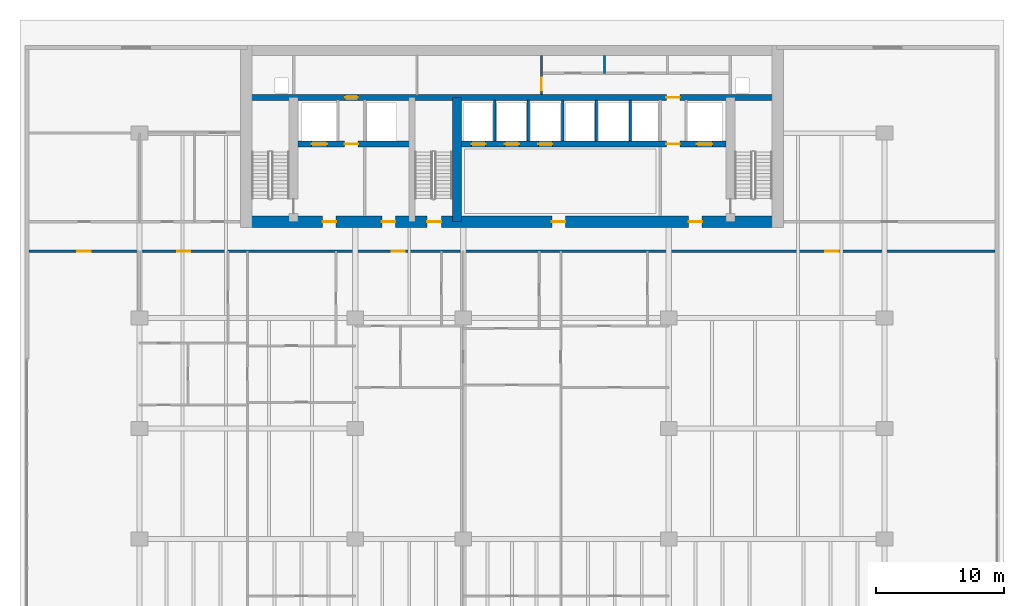
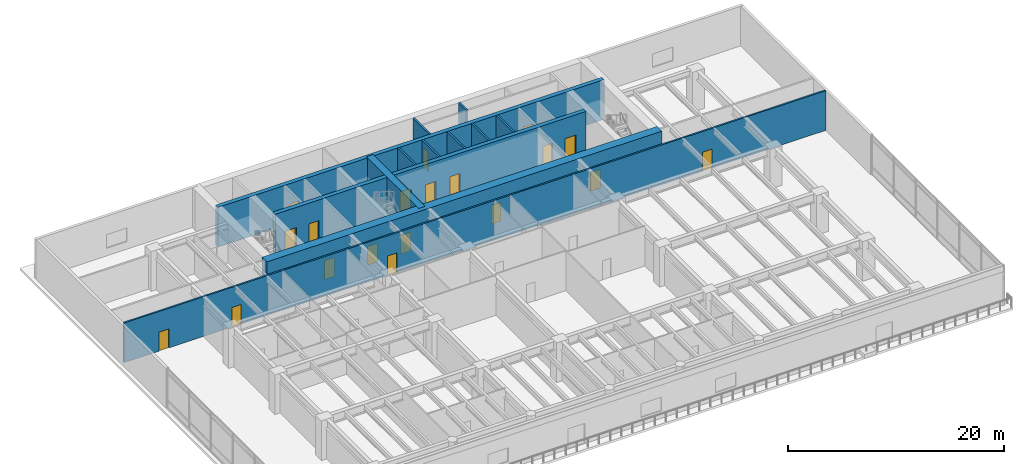
# One storey, part 9 of 14: 19 doors, 12 walls, 19 openings.
"""IFC4 building model written with IfcOpenShell, lengths in metres."""

import ifcopenshell
import ifcopenshell.guid

model = None  # the IFC model being written
_history = None  # IfcOwnerHistory: only IFC2X3 demands one
_inside = {}  # id of a spatial element -> (the spatial element, [elements in it])
_under = {}  # id of a project, library or spatial element -> (it, [spatial elements below it])
_declared = {}  # id of a project -> (the project, [libraries it declares])
_typed = {}  # id of a type object -> (the type object, [elements of that type])
_made_of = {}  # id of a material, layer set ... -> (it, [elements and type objects made of it])


def new_model(schema):
    """Start an empty IFC model of exactly this schema.

    Asked for "IFC4X3", IfcOpenShell would pick the latest addendum, in which some entities
    have other attributes; the version numbers below select the first issue.
    IFC2X3 requires an IfcOwnerHistory on every rooted entity: one is made here for all.
    """
    global model, _history
    if schema == "IFC4X3":
        model = ifcopenshell.file(schema_version=(4, 3, 0, 0))
    else:
        model = ifcopenshell.file(schema=schema)
    _inside.clear()
    _under.clear()
    _declared.clear()
    _typed.clear()
    _made_of.clear()
    _history = None
    if model.schema == "IFC2X3":
        org = make("IfcOrganization", Name="unknown")
        user = make(
            "IfcPersonAndOrganization",
            ThePerson=make("IfcPerson", FamilyName="unknown"),
            TheOrganization=org,
        )
        app = make(
            "IfcApplication",
            ApplicationDeveloper=org,
            Version="unknown",
            ApplicationFullName="unknown",
            ApplicationIdentifier="unknown",
        )
        _history = make(
            "IfcOwnerHistory",
            OwningUser=user,
            OwningApplication=app,
            ChangeAction="ADDED",
            CreationDate=0,
        )
    return model


def make(cls, **values):
    """One entity of the class cls with the attributes given. An attribute that is None is left unset."""
    return model.create_entity(
        cls, **{name: value for name, value in values.items() if value is not None}
    )


def rooted(cls, **values):
    """An entity with a GlobalId (a new one), such as an element, a storey or a relation."""
    return make(cls, GlobalId=ifcopenshell.guid.new(), OwnerHistory=_history, **values)


def si_unit(unit_type, name, prefix=None):
    """IfcSIUnit, for example si_unit("LENGTHUNIT", "METRE", prefix="MILLI")."""
    return make("IfcSIUnit", UnitType=unit_type, Prefix=prefix, Name=name)


def assignment(units):
    """IfcUnitAssignment: the units of a project."""
    return None if units is None else make("IfcUnitAssignment", Units=units)


def point(xyz):
    """IfcCartesianPoint."""
    return None if xyz is None else make("IfcCartesianPoint", Coordinates=xyz)


def direction(xyz):
    """IfcDirection."""
    return None if xyz is None else make("IfcDirection", DirectionRatios=xyz)


def frame(location, z_axis=None, x_axis=None):
    """IfcAxis2Placement3D, a coordinate frame: its origin and axes. An axis left out is left unset."""
    return make(
        "IfcAxis2Placement3D",
        Location=point(location),
        Axis=direction(z_axis),
        RefDirection=direction(x_axis),
    )


def frame_2d(location, x_axis=None):
    """IfcAxis2Placement2D, a coordinate frame in the plane: its origin and x axis."""
    return make(
        "IfcAxis2Placement2D", Location=point(location), RefDirection=direction(x_axis)
    )


def origin():
    """The frame at (0, 0, 0) with its axes left unset."""
    return frame((0.0, 0.0, 0.0))


def place(relative_to, where):
    """IfcLocalPlacement: puts the frame where relative to a parent placement (None: the world)."""
    return make(
        "IfcLocalPlacement", PlacementRelTo=relative_to, RelativePlacement=where
    )


def context(
    kind, dimensions, precision=None, world=None, true_north=None, identifier=None
):
    """IfcGeometricRepresentationContext, for example the 3D "Model" context."""
    return make(
        "IfcGeometricRepresentationContext",
        ContextIdentifier=identifier,
        ContextType=kind,
        CoordinateSpaceDimension=dimensions,
        Precision=precision,
        WorldCoordinateSystem=world,
        TrueNorth=true_north,
    )


def subcontext(parent, identifier, kind, view, scale=None):
    """IfcGeometricRepresentationSubContext, for example "Body" below "Model"."""
    return make(
        "IfcGeometricRepresentationSubContext",
        ContextIdentifier=identifier,
        ContextType=kind,
        ParentContext=parent,
        TargetScale=scale,
        TargetView=view,
    )


def project(units=None, contexts=None):
    """IfcProject with its units and contexts."""
    return rooted(
        "IfcProject",
        Name="project",
        RepresentationContexts=contexts,
        UnitsInContext=assignment(units),
    )


def spatial(cls, under=None, at=None, **own):
    """A site, building, storey or space (cls), placed at a placement, below another one or the project."""
    s = rooted(cls, ObjectPlacement=at, **own)
    if under is not None:
        _under.setdefault(under.id(), (under, []))[1].append(s)
    return s


def profile(cls, at=None, kind="AREA", **sizes):
    """A parametric profile (cls). Its sizes go by their IFC names, for example OverallWidth=200.0."""
    return make(cls, ProfileType=kind, Position=at, **sizes)


def rectangle(**sizes):
    """IfcRectangleProfileDef."""
    return profile("IfcRectangleProfileDef", **sizes)


def extrude(swept, where, along, depth):
    """IfcExtrudedAreaSolid: the profile swept, set in the frame where, extruded along a direction by depth."""
    return make(
        "IfcExtrudedAreaSolid",
        SweptArea=swept,
        Position=where,
        ExtrudedDirection=direction(along),
        Depth=depth,
    )


def shape(context_of_items, identifier, shape_type, items):
    """IfcShapeRepresentation: the items that make up one representation, for example the "Body"."""
    return make(
        "IfcShapeRepresentation",
        ContextOfItems=context_of_items,
        RepresentationIdentifier=identifier,
        RepresentationType=shape_type,
        Items=items,
    )


def material(Name=None, Category=None):
    """IfcMaterial."""
    return make("IfcMaterial", Name=Name, Category=Category)


def layer(
    of_material, thickness, ventilated=None, Name=None, Category=None, Priority=None
):
    """IfcMaterialLayer: one layer of a wall or slab, of a material (None: an air gap)."""
    return make(
        "IfcMaterialLayer",
        Material=of_material,
        LayerThickness=thickness,
        IsVentilated=ventilated,
        Name=Name,
        Category=Category,
        Priority=Priority,
    )


def layer_set(layers, Name=None):
    """IfcMaterialLayerSet."""
    return make("IfcMaterialLayerSet", MaterialLayers=layers, LayerSetName=Name)


def made_of(thing, what):
    """Note that an element or type object is made of a material, layer set ...; save() writes the relation."""
    if what is not None:
        _made_of.setdefault(what.id(), (what, []))[1].append(thing)
    return thing


def type_object(cls, material=None, **own):
    """A type object (cls), such as IfcWallType, which elements share."""
    return made_of(rooted(cls, **own), material)


def element(
    cls,
    number,
    at=None,
    inside=None,
    cuts=None,
    type_object=None,
    material=None,
    context=None,
    identifier="Body",
    shape_type=None,
    held_by="IfcProductDefinitionShape",
    body=None,
    shapes=None,
    **own,
):
    """One element of the class cls, such as IfcWall. Its Tag is "e" and its number.

    at: its placement. inside: the storey or other place that contains it. cuts: it is an
    opening in that element (IfcRelVoidsElement). A single representation is given by context,
    identifier, shape_type and body (its items); several are given by shapes. held_by: the class
    of the entity that holds the representations. save() writes the other relations.
    """
    e = rooted(cls, Tag="e%d" % number, ObjectPlacement=at, **own)
    if body is not None:
        shapes = [shape(context, identifier, shape_type, body)]
    if shapes is not None:
        e.Representation = make(held_by, Representations=shapes)
    if inside is not None:
        _inside.setdefault(inside.id(), (inside, []))[1].append(e)
    if cuts is not None:
        rooted(
            "IfcRelVoidsElement", RelatingBuildingElement=cuts, RelatedOpeningElement=e
        )
    if type_object is not None:
        _typed.setdefault(type_object.id(), (type_object, []))[1].append(e)
    return made_of(e, material)


def fill(opening, filler):
    """IfcRelFillsElement: the door or window that sits in an opening."""
    return rooted(
        "IfcRelFillsElement",
        RelatingOpeningElement=opening,
        RelatedBuildingElement=filler,
    )


def aggregate(whole, parts):
    """IfcRelAggregates: a whole, such as a stair, and the parts it consists of."""
    return rooted("IfcRelAggregates", RelatingObject=whole, RelatedObjects=parts)


def save(model, path):
    """Write the relations noted so far, then the file.

    IfcRelAggregates (storeys below a building ...), IfcRelContainedInSpatialStructure (elements
    in a storey), IfcRelDefinesByType, IfcRelAssociatesMaterial and IfcRelDeclares: one each for
    every whole, place, type object, material and project.
    """
    for whole, parts in _under.values():
        aggregate(whole, parts)
    for where, things in _inside.values():
        rooted(
            "IfcRelContainedInSpatialStructure",
            RelatedElements=things,
            RelatingStructure=where,
        )
    for kind, things in _typed.values():
        rooted("IfcRelDefinesByType", RelatedObjects=things, RelatingType=kind)
    for what, things in _made_of.values():
        rooted("IfcRelAssociatesMaterial", RelatedObjects=things, RelatingMaterial=what)
    for by, libraries in _declared.values():
        rooted("IfcRelDeclares", RelatingContext=by, RelatedDefinitions=libraries)
    model.write(path)


model = new_model("IFC4")

# Units and contexts
model_context = context("Model", 3, precision=1e-05, world=origin(), true_north=direction((0.0, 1.0)))
body_context = subcontext(model_context, "Body", "Model", "MODEL_VIEW")
ifc_project = project(units=[si_unit("LENGTHUNIT", "METRE"), si_unit("AREAUNIT", "SQUARE_METRE"), si_unit("VOLUMEUNIT", "CUBIC_METRE"), si_unit("PLANEANGLEUNIT", "RADIAN"), si_unit("MASSUNIT", "GRAM", prefix="KILO")], contexts=[model_context])

# Site, building, storey
site_placement = place(None, origin())
site = spatial("IfcSite", under=ifc_project, at=site_placement, CompositionType="ELEMENT")
building_placement = place(site_placement, origin())
building = spatial("IfcBuilding", under=site, at=building_placement, Name="Caelmar Bay Residences", CompositionType="ELEMENT")
storey_placement = place(building_placement, frame((0.0, 0.0, 15.0)))
storey = spatial("IfcBuildingStorey", under=building, at=storey_placement, Name="L03", CompositionType="ELEMENT", Elevation=15.0)

# Wall
ifc_material_1 = material(Name="Concrete f'c 55 MPa (8,000 psi)", Category="concrete")
ifc_layer_1 = layer(ifc_material_1, 0.699951171875)
ifc_layer_set_1 = layer_set([ifc_layer_1], Name="Concrete f'c 55 MPa (8,000 psi)")
wall_type_1 = type_object("IfcWallType", Name="SW-COR-700", PredefinedType="SHEAR", material=ifc_layer_set_1)
wall_1_placement = place(storey_placement, frame((34.60009765625, 36.89990234375, 0.0), z_axis=(0.0, 0.0, 1.0), x_axis=(0.0, 1.0, 0.0)))
element("IfcWall", 1, at=wall_1_placement, inside=storey, type_object=wall_type_1, Name="L03 Core Structural Web Wall ST3E", PredefinedType="SHEAR", context=body_context, shape_type="SweptSolid", body=[
    extrude(rectangle(XDim=9.675048828125, YDim=0.699951171875, at=frame_2d((4.83740234375, 0.0))), origin(), (0.0, 0.0, 1.0), 4.5),
])

# Wall, openings, doors
ifc_material_2 = material(Name="Concrete f'c 70 MPa (10,000 psi)", Category="concrete")
ifc_layer_2 = layer(ifc_material_2, 0.89990234375)
ifc_layer_set_2 = layer_set([ifc_layer_2], Name="Concrete f'c 70 MPa (10,000 psi)")
wall_type_2 = type_object("IfcWallType", Name="SW-COR-900", PredefinedType="SHEAR", material=ifc_layer_set_2)
wall_2_placement = place(storey_placement, frame((17.75, 36.89990234375, 0.0), z_axis=(0.0, 0.0, 1.0), x_axis=(1.0, 0.0, 0.0)))
wall_2 = element("IfcWall", 2, at=wall_2_placement, inside=storey, type_object=wall_type_2, Name="L03 Rear Core South Shear Wall", PredefinedType="SHEAR", context=body_context, shape_type="SweptSolid", body=[
    extrude(rectangle(XDim=42.300048828125, YDim=0.89990234375, at=frame_2d((21.14990234375, 0.0))), origin(), (0.0, 0.0, 1.0), 4.5),
])
opening_1_placement = place(wall_2_placement, frame((14.550048828125, 0.0, 0.0)))
opening_1 = element("IfcOpeningElement", 3, at=opening_1_placement, cuts=wall_2, Name="Opening D-L03-106", PredefinedType="OPENING", context=body_context, shape_type="SweptSolid", body=[
    extrude(rectangle(XDim=1.10009765625, YDim=2.14990234375, at=frame_2d((0.550048828125, 1.074951171875))), frame((0.0, 0.4599609375, 0.0), z_axis=(0.0, -1.0, 0.0), x_axis=(1.0, 0.0, 0.0)), (0.0, 0.0, 1.0), 0.919921875),
])
opening_2_placement = place(wall_2_placement, frame((6.39990234375, 0.0, 0.0)))
opening_2 = element("IfcOpeningElement", 4, at=opening_2_placement, cuts=wall_2, Name="Opening D-L03-107", PredefinedType="OPENING", context=body_context, shape_type="SweptSolid", body=[
    extrude(rectangle(XDim=1.050048828125, YDim=2.14990234375, at=frame_2d((0.52490234375, 1.074951171875))), frame((0.0, 0.4599609375, 0.0), z_axis=(0.0, -1.0, 0.0), x_axis=(1.0, 0.0, 0.0)), (0.0, 0.0, 1.0), 0.919921875),
])
opening_3_placement = place(wall_2_placement, frame((34.89990234375, 0.0, 0.0)))
opening_3 = element("IfcOpeningElement", 5, at=opening_3_placement, cuts=wall_2, Name="Opening D-L03-110", PredefinedType="OPENING", context=body_context, shape_type="SweptSolid", body=[
    extrude(rectangle(XDim=1.050048828125, YDim=2.14990234375, at=frame_2d((0.52490234375, 1.074951171875))), frame((0.0, 0.4599609375, 0.0), z_axis=(0.0, -1.0, 0.0), x_axis=(1.0, 0.0, 0.0)), (0.0, 0.0, 1.0), 0.919921875),
])
opening_4_placement = place(wall_2_placement, frame((11.012451171875, 0.0, 0.0)))
opening_4 = element("IfcOpeningElement", 6, at=opening_4_placement, cuts=wall_2, Name="Opening D-L03-113", PredefinedType="OPENING", context=body_context, shape_type="SweptSolid", body=[
    extrude(rectangle(XDim=1.050048828125, YDim=2.14990234375, at=frame_2d((0.52490234375, 1.074951171875))), frame((0.0, 0.4599609375, 0.0), z_axis=(0.0, -1.0, 0.0), x_axis=(1.0, 0.0, 0.0)), (0.0, 0.0, 1.0), 0.919921875),
])
opening_5_placement = place(wall_2_placement, frame((24.25, 0.0, 0.0)))
opening_5 = element("IfcOpeningElement", 7, at=opening_5_placement, cuts=wall_2, Name="Opening D-L03-114", PredefinedType="OPENING", context=body_context, shape_type="SweptSolid", body=[
    extrude(rectangle(XDim=1.050048828125, YDim=2.14990234375, at=frame_2d((0.52490234375, 1.074951171875))), frame((0.0, 0.4599609375, 0.0), z_axis=(0.0, -1.0, 0.0), x_axis=(1.0, 0.0, 0.0)), (0.0, 0.0, 1.0), 0.919921875),
])
ifc_material_3 = material(Name="Fire-rated steel and walnut architectural door assembly", Category="steel")
ifc_layer_3 = layer(ifc_material_3, 0.050048828125)
ifc_layer_set_3 = layer_set([ifc_layer_3], Name="Fire-rated steel and walnut architectural door assembly")
door_type_1 = type_object("IfcDoorType", Name="D-FSAE-1050", OperationType="NOTDEFINED", PredefinedType="DOOR", material=ifc_layer_set_3)
door_1_placement = place(opening_2_placement, origin())
door_1 = element("IfcDoor", 8, at=door_1_placement, inside=storey, type_object=door_type_1, Name="L03 Firefighting Lobby West Door", OperationType="SINGLE_SWING_RIGHT", OverallHeight=2.14990234375, OverallWidth=1.050048828125, PredefinedType="DOOR", context=body_context, shape_type="SweptSolid", body=[
    extrude(rectangle(XDim=1.050048828125, YDim=2.14990234375, at=frame_2d((0.52490234375, 1.074951171875))), frame((0.0, 0.02490234375, 0.0), z_axis=(0.0, -1.0, 0.0), x_axis=(1.0, 0.0, 0.0)), (0.0, 0.0, 1.0), 0.050048828125),
])
fill(opening_2, door_1)
door_2_placement = place(opening_3_placement, origin())
door_2 = element("IfcDoor", 9, at=door_2_placement, inside=storey, type_object=door_type_1, Name="L03 Firefighting Lobby East Door", OperationType="SINGLE_SWING_LEFT", OverallHeight=2.14990234375, OverallWidth=1.050048828125, PredefinedType="DOOR", context=body_context, shape_type="SweptSolid", body=[
    extrude(rectangle(XDim=1.050048828125, YDim=2.14990234375, at=frame_2d((0.52490234375, 1.074951171875))), frame((0.0, 0.02490234375, 0.0), z_axis=(0.0, -1.0, 0.0), x_axis=(1.0, 0.0, 0.0)), (0.0, 0.0, 1.0), 0.050048828125),
])
fill(opening_3, door_2)
door_3_placement = place(opening_4_placement, origin())
door_3 = element("IfcDoor", 10, at=door_3_placement, inside=storey, type_object=door_type_1, Name="L03 West Lift Lobby Door", OperationType="SINGLE_SWING_RIGHT", OverallHeight=2.14990234375, OverallWidth=1.050048828125, PredefinedType="DOOR", context=body_context, shape_type="SweptSolid", body=[
    extrude(rectangle(XDim=1.050048828125, YDim=2.14990234375, at=frame_2d((0.52490234375, 1.074951171875))), frame((0.0, 0.02490234375, 0.0), z_axis=(0.0, -1.0, 0.0), x_axis=(1.0, 0.0, 0.0)), (0.0, 0.0, 1.0), 0.050048828125),
])
fill(opening_4, door_3)
door_4_placement = place(opening_5_placement, origin())
door_4 = element("IfcDoor", 11, at=door_4_placement, inside=storey, type_object=door_type_1, Name="L03 Passenger Lift Lobby Door", OperationType="SINGLE_SWING_LEFT", OverallHeight=2.14990234375, OverallWidth=1.050048828125, PredefinedType="DOOR", context=body_context, shape_type="SweptSolid", body=[
    extrude(rectangle(XDim=1.050048828125, YDim=2.14990234375, at=frame_2d((0.52490234375, 1.074951171875))), frame((0.0, 0.02490234375, 0.0), z_axis=(0.0, -1.0, 0.0), x_axis=(1.0, 0.0, 0.0)), (0.0, 0.0, 1.0), 0.050048828125),
])
fill(opening_5, door_4)
ifc_layer_4 = layer(ifc_material_3, 0.050048828125)
ifc_layer_set_4 = layer_set([ifc_layer_4], Name="Fire-rated steel and walnut architectural door assembly")
door_type_2 = type_object("IfcDoorType", Name="D-STAIR-1100", OperationType="NOTDEFINED", PredefinedType="DOOR", material=ifc_layer_set_4)
door_5_placement = place(opening_1_placement, origin())
door_5 = element("IfcDoor", 12, at=door_5_placement, inside=storey, type_object=door_type_2, Name="L03 Exit Stair ST3 Door", OperationType="SINGLE_SWING_LEFT", OverallHeight=2.14990234375, OverallWidth=1.10009765625, PredefinedType="DOOR", context=body_context, shape_type="SweptSolid", body=[
    extrude(rectangle(XDim=1.10009765625, YDim=2.14990234375, at=frame_2d((0.550048828125, 1.074951171875))), frame((0.0, 0.02490234375, 0.0), z_axis=(0.0, -1.0, 0.0), x_axis=(1.0, 0.0, 0.0)), (0.0, 0.0, 1.0), 0.050048828125),
])
fill(opening_1, door_5)

ifc_layer_5 = layer(ifc_material_2, 0.449951171875)
ifc_layer_set_5 = layer_set([ifc_layer_5], Name="Concrete f'c 70 MPa (10,000 psi)")
wall_type_3 = type_object("IfcWallType", Name="SW-WEB-450", PredefinedType="SHEAR", material=ifc_layer_set_5)
wall_3_placement = place(storey_placement, frame((22.25, 42.949951171875, 0.0), z_axis=(0.0, 0.0, 1.0), x_axis=(1.0, 0.0, 0.0)))
wall_3 = element("IfcWall", 13, at=wall_3_placement, inside=storey, type_object=wall_type_3, Name="L03 Core Structural Web Wall LFR", PredefinedType="SHEAR", context=body_context, shape_type="SweptSolid", body=[
    extrude(rectangle(XDim=33.300048828125, YDim=0.449951171875, at=frame_2d((16.64990234375, 0.0))), origin(), (0.0, 0.0, 1.0), 4.5),
])
opening_6_placement = place(wall_3_placement, frame((1.050048828125, 0.0, 0.0)))
opening_6 = element("IfcOpeningElement", 14, at=opening_6_placement, cuts=wall_3, Name="Opening LD2", PredefinedType="OPENING", context=body_context, shape_type="SweptSolid", body=[
    extrude(rectangle(XDim=1.199951171875, YDim=2.199951171875, at=frame_2d((0.60009765625, 1.10009765625))), frame((0.0, 0.23486328125, 0.0), z_axis=(0.0, -1.0, 0.0), x_axis=(1.0, 0.0, 0.0)), (0.0, 0.0, 1.0), 0.469970703125),
])
opening_7_placement = place(wall_3_placement, frame((31.050048828125, 0.0, 0.0)))
opening_7 = element("IfcOpeningElement", 15, at=opening_7_placement, cuts=wall_3, Name="Opening LD2", PredefinedType="OPENING", context=body_context, shape_type="SweptSolid", body=[
    extrude(rectangle(XDim=1.199951171875, YDim=2.199951171875, at=frame_2d((0.60009765625, 1.10009765625))), frame((0.0, 0.23486328125, 0.0), z_axis=(0.0, -1.0, 0.0), x_axis=(1.0, 0.0, 0.0)), (0.0, 0.0, 1.0), 0.469970703125),
])
opening_8_placement = place(wall_3_placement, frame((13.5, 0.0, 0.0)))
opening_8 = element("IfcOpeningElement", 16, at=opening_8_placement, cuts=wall_3, Name="Opening LD1", PredefinedType="OPENING", context=body_context, shape_type="SweptSolid", body=[
    extrude(rectangle(XDim=1.10009765625, YDim=2.199951171875, at=frame_2d((0.550048828125, 1.10009765625))), frame((0.0, 0.23486328125, 0.0), z_axis=(0.0, -1.0, 0.0), x_axis=(1.0, 0.0, 0.0)), (0.0, 0.0, 1.0), 0.469970703125),
])
opening_9_placement = place(wall_3_placement, frame((16.10009765625, 0.0, 0.0)))
opening_9 = element("IfcOpeningElement", 17, at=opening_9_placement, cuts=wall_3, Name="Opening LD1", PredefinedType="OPENING", context=body_context, shape_type="SweptSolid", body=[
    extrude(rectangle(XDim=1.10009765625, YDim=2.199951171875, at=frame_2d((0.550048828125, 1.10009765625))), frame((0.0, 0.23486328125, 0.0), z_axis=(0.0, -1.0, 0.0), x_axis=(1.0, 0.0, 0.0)), (0.0, 0.0, 1.0), 0.469970703125),
])
opening_10_placement = place(wall_3_placement, frame((18.699951171875, 0.0, 0.0)))
opening_10 = element("IfcOpeningElement", 18, at=opening_10_placement, cuts=wall_3, Name="Opening LD1", PredefinedType="OPENING", context=body_context, shape_type="SweptSolid", body=[
    extrude(rectangle(XDim=1.10009765625, YDim=2.199951171875, at=frame_2d((0.550048828125, 1.10009765625))), frame((0.0, 0.23486328125, 0.0), z_axis=(0.0, -1.0, 0.0), x_axis=(1.0, 0.0, 0.0)), (0.0, 0.0, 1.0), 0.469970703125),
])
opening_11_placement = place(wall_3_placement, frame((3.625, 0.0, 0.0)))
opening_11 = element("IfcOpeningElement", 19, at=opening_11_placement, cuts=wall_3, Name="Opening D-L03-109", PredefinedType="OPENING", context=body_context, shape_type="SweptSolid", body=[
    extrude(rectangle(XDim=1.050048828125, YDim=2.14990234375, at=frame_2d((0.52490234375, 1.074951171875))), frame((0.0, 0.23486328125, 0.0), z_axis=(0.0, -1.0, 0.0), x_axis=(1.0, 0.0, 0.0)), (0.0, 0.0, 1.0), 0.469970703125),
])
opening_12_placement = place(wall_3_placement, frame((28.675048828125, 0.0, 0.0)))
opening_12 = element("IfcOpeningElement", 20, at=opening_12_placement, cuts=wall_3, Name="Opening D-L03-112", PredefinedType="OPENING", context=body_context, shape_type="SweptSolid", body=[
    extrude(rectangle(XDim=1.050048828125, YDim=2.14990234375, at=frame_2d((0.52490234375, 1.074951171875))), frame((0.0, 0.23486328125, 0.0), z_axis=(0.0, -1.0, 0.0), x_axis=(1.0, 0.0, 0.0)), (0.0, 0.0, 1.0), 0.469970703125),
])
door_6_placement = place(opening_11_placement, origin())
door_6 = element("IfcDoor", 21, at=door_6_placement, inside=storey, type_object=door_type_1, Name="L03 Firefighting Lobby West Door", OperationType="SINGLE_SWING_RIGHT", OverallHeight=2.14990234375, OverallWidth=1.050048828125, PredefinedType="DOOR", context=body_context, shape_type="SweptSolid", body=[
    extrude(rectangle(XDim=1.050048828125, YDim=2.14990234375, at=frame_2d((0.52490234375, 1.074951171875))), frame((0.0, 0.02490234375, 0.0), z_axis=(0.0, -1.0, 0.0), x_axis=(1.0, 0.0, 0.0)), (0.0, 0.0, 1.0), 0.050048828125),
])
fill(opening_11, door_6)
door_7_placement = place(opening_12_placement, origin())
door_7 = element("IfcDoor", 22, at=door_7_placement, inside=storey, type_object=door_type_1, Name="L03 Firefighting Lobby East Door", OperationType="SINGLE_SWING_LEFT", OverallHeight=2.14990234375, OverallWidth=1.050048828125, PredefinedType="DOOR", context=body_context, shape_type="SweptSolid", body=[
    extrude(rectangle(XDim=1.050048828125, YDim=2.14990234375, at=frame_2d((0.52490234375, 1.074951171875))), frame((0.0, 0.02490234375, 0.0), z_axis=(0.0, -1.0, 0.0), x_axis=(1.0, 0.0, 0.0)), (0.0, 0.0, 1.0), 0.050048828125),
])
fill(opening_12, door_7)
ifc_material_4 = material(Name="Brushed bronze stainless-steel fire-rated lift landing doors", Category="steel")
ifc_layer_6 = layer(ifc_material_4, 0.050048828125)
ifc_layer_set_6 = layer_set([ifc_layer_6], Name="Brushed bronze stainless-steel fire-rated lift landing doors")
door_type_3 = type_object("IfcDoorType", Name="D-LND-1100", OperationType="DOUBLE_DOOR_SLIDING", PredefinedType="DOOR", material=ifc_layer_set_6)
door_8_placement = place(opening_8_placement, origin())
door_8 = element("IfcDoor", 23, at=door_8_placement, inside=storey, type_object=door_type_3, Name="L03 LP1 Sliding Landing Door", OperationType="DOUBLE_DOOR_SLIDING", OverallHeight=2.199951171875, OverallWidth=1.10009765625, PredefinedType="DOOR", context=body_context, shape_type="SweptSolid", body=[
    extrude(rectangle(XDim=1.10009765625, YDim=2.199951171875, at=frame_2d((0.550048828125, 1.10009765625))), frame((0.0, 0.02490234375, 0.0), z_axis=(0.0, -1.0, 0.0), x_axis=(1.0, 0.0, 0.0)), (0.0, 0.0, 1.0), 0.050048828125),
])
fill(opening_8, door_8)
door_9_placement = place(opening_9_placement, origin())
door_9 = element("IfcDoor", 24, at=door_9_placement, inside=storey, type_object=door_type_3, Name="L03 LP2 Sliding Landing Door", OperationType="DOUBLE_DOOR_SLIDING", OverallHeight=2.199951171875, OverallWidth=1.10009765625, PredefinedType="DOOR", context=body_context, shape_type="SweptSolid", body=[
    extrude(rectangle(XDim=1.10009765625, YDim=2.199951171875, at=frame_2d((0.550048828125, 1.10009765625))), frame((0.0, 0.02490234375, 0.0), z_axis=(0.0, -1.0, 0.0), x_axis=(1.0, 0.0, 0.0)), (0.0, 0.0, 1.0), 0.050048828125),
])
fill(opening_9, door_9)
door_10_placement = place(opening_10_placement, origin())
door_10 = element("IfcDoor", 25, at=door_10_placement, inside=storey, type_object=door_type_3, Name="L03 LP3 Sliding Landing Door", OperationType="DOUBLE_DOOR_SLIDING", OverallHeight=2.199951171875, OverallWidth=1.10009765625, PredefinedType="DOOR", context=body_context, shape_type="SweptSolid", body=[
    extrude(rectangle(XDim=1.10009765625, YDim=2.199951171875, at=frame_2d((0.550048828125, 1.10009765625))), frame((0.0, 0.02490234375, 0.0), z_axis=(0.0, -1.0, 0.0), x_axis=(1.0, 0.0, 0.0)), (0.0, 0.0, 1.0), 0.050048828125),
])
fill(opening_10, door_10)
ifc_material_5 = material(Name="Brushed stainless-steel FSAE sliding landing door", Category="steel")
ifc_layer_7 = layer(ifc_material_5, 0.050048828125)
ifc_layer_set_7 = layer_set([ifc_layer_7], Name="Brushed stainless-steel FSAE sliding landing door")
door_type_4 = type_object("IfcDoorType", Name="D-LND-1200", OperationType="DOUBLE_DOOR_SLIDING", PredefinedType="DOOR", material=ifc_layer_set_7)
door_11_placement = place(opening_6_placement, origin())
door_11 = element("IfcDoor", 26, at=door_11_placement, inside=storey, type_object=door_type_4, Name="L03 LF1 Sliding Landing Door", OperationType="DOUBLE_DOOR_SLIDING", OverallHeight=2.199951171875, OverallWidth=1.199951171875, PredefinedType="DOOR", context=body_context, shape_type="SweptSolid", body=[
    extrude(rectangle(XDim=1.199951171875, YDim=2.199951171875, at=frame_2d((0.60009765625, 1.10009765625))), frame((0.0, 0.02490234375, 0.0), z_axis=(0.0, -1.0, 0.0), x_axis=(1.0, 0.0, 0.0)), (0.0, 0.0, 1.0), 0.050048828125),
])
fill(opening_6, door_11)
door_12_placement = place(opening_7_placement, origin())
door_12 = element("IfcDoor", 27, at=door_12_placement, inside=storey, type_object=door_type_4, Name="L03 LF2 Sliding Landing Door", OperationType="DOUBLE_DOOR_SLIDING", OverallHeight=2.199951171875, OverallWidth=1.199951171875, PredefinedType="DOOR", context=body_context, shape_type="SweptSolid", body=[
    extrude(rectangle(XDim=1.199951171875, YDim=2.199951171875, at=frame_2d((0.60009765625, 1.10009765625))), frame((0.0, 0.02490234375, 0.0), z_axis=(0.0, -1.0, 0.0), x_axis=(1.0, 0.0, 0.0)), (0.0, 0.0, 1.0), 0.050048828125),
])
fill(opening_7, door_12)

wall_4_placement = place(storey_placement, frame((18.199951171875, 46.574951171875, 0.0), z_axis=(0.0, 0.0, 1.0), x_axis=(1.0, 0.0, 0.0)))
wall_4 = element("IfcWall", 28, at=wall_4_placement, inside=storey, type_object=wall_type_3, Name="L03 Core Structural Web Wall SRVS", PredefinedType="SHEAR", context=body_context, shape_type="SweptSolid", body=[
    extrude(rectangle(XDim=41.400146484375, YDim=0.449951171875, at=frame_2d((20.7001953125, 0.0))), origin(), (0.0, 0.0, 1.0), 4.5),
])
opening_13_placement = place(wall_4_placement, frame((7.699951171875, 0.0, 0.0)))
opening_13 = element("IfcOpeningElement", 29, at=opening_13_placement, cuts=wall_4, Name="Opening D-L03-115", PredefinedType="OPENING", context=body_context, shape_type="SweptSolid", body=[
    extrude(rectangle(XDim=1.0, YDim=2.199951171875, at=frame_2d((0.5, 1.10009765625))), frame((0.0, 0.23486328125, 0.0), z_axis=(0.0, -1.0, 0.0), x_axis=(1.0, 0.0, 0.0)), (0.0, 0.0, 1.0), 0.469970703125),
])
opening_14_placement = place(wall_4_placement, frame((32.72509765625, 0.0, 0.0)))
opening_14 = element("IfcOpeningElement", 30, at=opening_14_placement, cuts=wall_4, Name="Opening D-L03-116", PredefinedType="OPENING", context=body_context, shape_type="SweptSolid", body=[
    extrude(rectangle(XDim=1.050048828125, YDim=2.14990234375, at=frame_2d((0.52490234375, 1.074951171875))), frame((0.0, 0.23486328125, 0.0), z_axis=(0.0, -1.0, 0.0), x_axis=(1.0, 0.0, 0.0)), (0.0, 0.0, 1.0), 0.469970703125),
])
door_13_placement = place(opening_14_placement, origin())
door_13 = element("IfcDoor", 31, at=door_13_placement, inside=storey, type_object=door_type_1, Name="L03 East Core Service Corridor Door", OperationType="SINGLE_SWING_LEFT", OverallHeight=2.14990234375, OverallWidth=1.050048828125, PredefinedType="DOOR", context=body_context, shape_type="SweptSolid", body=[
    extrude(rectangle(XDim=1.050048828125, YDim=2.14990234375, at=frame_2d((0.52490234375, 1.074951171875))), frame((0.0, 0.02490234375, 0.0), z_axis=(0.0, -1.0, 0.0), x_axis=(1.0, 0.0, 0.0)), (0.0, 0.0, 1.0), 0.050048828125),
])
fill(opening_14, door_13)
ifc_layer_8 = layer(ifc_material_3, 0.050048828125)
ifc_layer_set_8 = layer_set([ifc_layer_8], Name="Fire-rated steel and walnut architectural door assembly")
door_type_5 = type_object("IfcDoorType", Name="D-UNIT-1000", OperationType="NOTDEFINED", PredefinedType="DOOR", material=ifc_layer_set_8)
door_14_placement = place(opening_13_placement, origin())
door_14 = element("IfcDoor", 32, at=door_14_placement, inside=storey, type_object=door_type_5, Name="L03 Package Concierge Office Door", OperationType="SINGLE_SWING_RIGHT", OverallHeight=2.199951171875, OverallWidth=1.0, PredefinedType="DOOR", context=body_context, shape_type="SweptSolid", body=[
    extrude(rectangle(XDim=1.0, YDim=2.199951171875, at=frame_2d((0.5, 1.10009765625))), frame((0.0, 0.02490234375, 0.0), z_axis=(0.0, -1.0, 0.0), x_axis=(1.0, 0.0, 0.0)), (0.0, 0.0, 1.0), 0.050048828125),
])
fill(opening_13, door_14)

# Wall, opening, door
ifc_material_6 = material(Name="Double-stud acoustic fire-rated gypsum partition 180 mm")
ifc_layer_9 = layer(ifc_material_6, 0.179931640625)
ifc_layer_set_9 = layer_set([ifc_layer_9], Name="Double-stud acoustic fire-rated gypsum partition 180 mm")
wall_type_4 = type_object("IfcWallType", Name="W-COR-200", PredefinedType="PARTITIONING", material=ifc_layer_set_9)
wall_5_placement = place(storey_placement, frame((41.199951171875, 46.794921875, 0.0), z_axis=(0.0, 0.0, 1.0), x_axis=(0.0, 1.0, 0.0)))
wall_5 = element("IfcWall", 33, at=wall_5_placement, inside=storey, type_object=wall_type_4, Name="L03 Partition Wall V020", PredefinedType="PARTITIONING", context=body_context, shape_type="SweptSolid", body=[
    extrude(rectangle(XDim=3.06005859375, YDim=0.179931640625, at=frame_2d((1.530029296875, 0.0))), origin(), (0.0, 0.0, 1.0), 4.5),
])
opening_15_placement = place(wall_5_placement, frame((0.327392578125, 0.0, 0.0)))
opening_15 = element("IfcOpeningElement", 34, at=opening_15_placement, cuts=wall_5, Name="Opening D-L03-117", PredefinedType="OPENING", context=body_context, shape_type="SweptSolid", body=[
    extrude(rectangle(XDim=1.0, YDim=2.199951171875, at=frame_2d((0.5, 1.10009765625))), frame((0.0, 0.099853515625, 0.0), z_axis=(0.0, -1.0, 0.0), x_axis=(1.0, 0.0, 0.0)), (0.0, 0.0, 1.0), 0.199951171875),
])
door_15_placement = place(opening_15_placement, origin())
door_15 = element("IfcDoor", 35, at=door_15_placement, inside=storey, type_object=door_type_5, Name="L03 Engineering Control Office Door", OperationType="SINGLE_SWING_RIGHT", OverallHeight=2.199951171875, OverallWidth=1.0, PredefinedType="DOOR", context=body_context, shape_type="SweptSolid", body=[
    extrude(rectangle(XDim=1.0, YDim=2.199951171875, at=frame_2d((0.5, 1.10009765625))), frame((0.0, 0.02490234375, 0.0), z_axis=(0.0, -1.0, 0.0), x_axis=(1.0, 0.0, 0.0)), (0.0, 0.0, 1.0), 0.050048828125),
])
fill(opening_15, door_15)

# Wall
wall_6_placement = place(storey_placement, frame((46.10009765625, 48.449951171875, 0.0), z_axis=(0.0, 0.0, 1.0), x_axis=(0.0, 1.0, 0.0)))
element("IfcWall", 36, at=wall_6_placement, inside=storey, type_object=wall_type_4, Name="L03 Partition Wall V024", PredefinedType="PARTITIONING", context=body_context, shape_type="SweptSolid", body=[
    extrude(rectangle(XDim=1.405029296875, YDim=0.179931640625, at=frame_2d((0.70263671875, 0.0))), origin(), (0.0, 0.0, 1.0), 4.5),
])

# Wall, openings, doors
wall_7_placement = place(storey_placement, frame((1.294921875, 34.60009765625, 0.0), z_axis=(0.0, 0.0, 1.0), x_axis=(1.0, 0.0, 0.0)))
wall_7 = element("IfcWall", 37, at=wall_7_placement, inside=storey, type_object=wall_type_4, Name="L03 Partition Wall H045", PredefinedType="PARTITIONING", context=body_context, shape_type="SweptSolid", body=[
    extrude(rectangle(XDim=75.2099609375, YDim=0.179931640625, at=frame_2d((37.60498046875, 0.0))), origin(), (0.0, 0.0, 1.0), 4.5),
])
opening_16_placement = place(wall_7_placement, frame((3.777587890625, 0.0, 0.0)))
opening_16 = element("IfcOpeningElement", 38, at=opening_16_placement, cuts=wall_7, Name="Opening D-L03-121", PredefinedType="OPENING", context=body_context, shape_type="SweptSolid", body=[
    extrude(rectangle(XDim=1.050048828125, YDim=2.14990234375, at=frame_2d((0.52490234375, 1.074951171875))), frame((0.0, 0.099853515625, 0.0), z_axis=(0.0, -1.0, 0.0), x_axis=(1.0, 0.0, 0.0)), (0.0, 0.0, 1.0), 0.199951171875),
])
opening_17_placement = place(wall_7_placement, frame((11.554931640625, 0.0, 0.0)))
opening_17 = element("IfcOpeningElement", 39, at=opening_17_placement, cuts=wall_7, Name="Opening D-L03-122", PredefinedType="OPENING", context=body_context, shape_type="SweptSolid", body=[
    extrude(rectangle(XDim=1.0, YDim=2.199951171875, at=frame_2d((0.5, 1.10009765625))), frame((0.0, 0.099853515625, 0.0), z_axis=(0.0, -1.0, 0.0), x_axis=(1.0, 0.0, 0.0)), (0.0, 0.0, 1.0), 0.199951171875),
])
opening_18_placement = place(wall_7_placement, frame((28.262939453125, 0.0, 0.0)))
opening_18 = element("IfcOpeningElement", 40, at=opening_18_placement, cuts=wall_7, Name="Opening D-L03-132", PredefinedType="OPENING", context=body_context, shape_type="SweptSolid", body=[
    extrude(rectangle(XDim=1.0, YDim=2.199951171875, at=frame_2d((0.5, 1.10009765625))), frame((0.0, 0.099853515625, 0.0), z_axis=(0.0, -1.0, 0.0), x_axis=(1.0, 0.0, 0.0)), (0.0, 0.0, 1.0), 0.199951171875),
])
opening_19_placement = place(wall_7_placement, frame((61.982421875, 0.0, 0.0)))
opening_19 = element("IfcOpeningElement", 41, at=opening_19_placement, cuts=wall_7, Name="Opening D-L03-147", PredefinedType="OPENING", context=body_context, shape_type="SweptSolid", body=[
    extrude(rectangle(XDim=1.050048828125, YDim=2.14990234375, at=frame_2d((0.52490234375, 1.074951171875))), frame((0.0, 0.099853515625, 0.0), z_axis=(0.0, -1.0, 0.0), x_axis=(1.0, 0.0, 0.0)), (0.0, 0.0, 1.0), 0.199951171875),
])
door_16_placement = place(opening_16_placement, origin())
door_16 = element("IfcDoor", 42, at=door_16_placement, inside=storey, type_object=door_type_1, Name="L03 West Study Library L03 Door", OperationType="SINGLE_SWING_RIGHT", OverallHeight=2.14990234375, OverallWidth=1.050048828125, PredefinedType="DOOR", context=body_context, shape_type="SweptSolid", body=[
    extrude(rectangle(XDim=1.050048828125, YDim=2.14990234375, at=frame_2d((0.52490234375, 1.074951171875))), frame((0.0, 0.02490234375, 0.0), z_axis=(0.0, -1.0, 0.0), x_axis=(1.0, 0.0, 0.0)), (0.0, 0.0, 1.0), 0.050048828125),
])
fill(opening_16, door_16)
door_17_placement = place(opening_19_placement, origin())
door_17 = element("IfcDoor", 43, at=door_17_placement, inside=storey, type_object=door_type_1, Name="L03 Botanical Reading Room L03 Door", OperationType="SINGLE_SWING_RIGHT", OverallHeight=2.14990234375, OverallWidth=1.050048828125, PredefinedType="DOOR", context=body_context, shape_type="SweptSolid", body=[
    extrude(rectangle(XDim=1.050048828125, YDim=2.14990234375, at=frame_2d((0.52490234375, 1.074951171875))), frame((0.0, 0.02490234375, 0.0), z_axis=(0.0, -1.0, 0.0), x_axis=(1.0, 0.0, 0.0)), (0.0, 0.0, 1.0), 0.050048828125),
])
fill(opening_19, door_17)
door_18_placement = place(opening_17_placement, origin())
door_18 = element("IfcDoor", 44, at=door_18_placement, inside=storey, type_object=door_type_5, Name="L03 Residence 3A Apartment Hall Door", OperationType="SINGLE_SWING_LEFT", OverallHeight=2.199951171875, OverallWidth=1.0, PredefinedType="DOOR", context=body_context, shape_type="SweptSolid", body=[
    extrude(rectangle(XDim=1.0, YDim=2.199951171875, at=frame_2d((0.5, 1.10009765625))), frame((0.0, 0.02490234375, 0.0), z_axis=(0.0, -1.0, 0.0), x_axis=(1.0, 0.0, 0.0)), (0.0, 0.0, 1.0), 0.050048828125),
])
fill(opening_17, door_18)
door_19_placement = place(opening_18_placement, origin())
door_19 = element("IfcDoor", 45, at=door_19_placement, inside=storey, type_object=door_type_5, Name="L03 Residence 3B Apartment Hall Door", OperationType="SINGLE_SWING_LEFT", OverallHeight=2.199951171875, OverallWidth=1.0, PredefinedType="DOOR", context=body_context, shape_type="SweptSolid", body=[
    extrude(rectangle(XDim=1.0, YDim=2.199951171875, at=frame_2d((0.5, 1.10009765625))), frame((0.0, 0.02490234375, 0.0), z_axis=(0.0, -1.0, 0.0), x_axis=(1.0, 0.0, 0.0)), (0.0, 0.0, 1.0), 0.050048828125),
])
fill(opening_18, door_19)

# Walls
ifc_material_7 = material(Name="Fire-rated masonry and gypsum shaftliner assembly 200 mm", Category="masonry")
ifc_layer_10 = layer(ifc_material_7, 0.199951171875)
ifc_layer_set_10 = layer_set([ifc_layer_10], Name="Fire-rated masonry and gypsum shaftliner assembly 200 mm")
wall_type_5 = type_object("IfcWallType", Name="W-FSAE-200", PredefinedType="PARTITIONING", material=ifc_layer_set_10)
for number, where, z_axis, x_axis, name in (
    (46, (37.550048828125, 43.169921875, 0.0), (0.0, 0.0, 1.0), (0.0, 1.0, 0.0), "L03 Partition Wall V017"),
    (47, (40.14990234375, 43.169921875, 0.0), (0.0, 0.0, 1.0), (0.0, 1.0, 0.0), "L03 Partition Wall V018"),
    (48, (42.85009765625, 43.169921875, 0.0), (0.0, 0.0, 1.0), (0.0, 1.0, 0.0), "L03 Partition Wall V022"),
    (49, (45.449951171875, 43.169921875, 0.0), (0.0, 0.0, 1.0), (0.0, 1.0, 0.0), "L03 Partition Wall V023"),
    (50, (48.10009765625, 43.169921875, 0.0), (0.0, 0.0, 1.0), (0.0, 1.0, 0.0), "L03 Partition Wall V025"),
):
    element("IfcWall", number, at=place(storey_placement, frame(where, z_axis=z_axis, x_axis=x_axis)), inside=storey, type_object=wall_type_5, Name=name, PredefinedType="PARTITIONING", context=body_context, shape_type="SweptSolid", body=[
        extrude(rectangle(XDim=3.18505859375, YDim=0.199951171875, at=frame_2d((1.592529296875, 0.0))), origin(), (0.0, 0.0, 1.0), 4.5),
    ])

save(model, "model.ifc")
